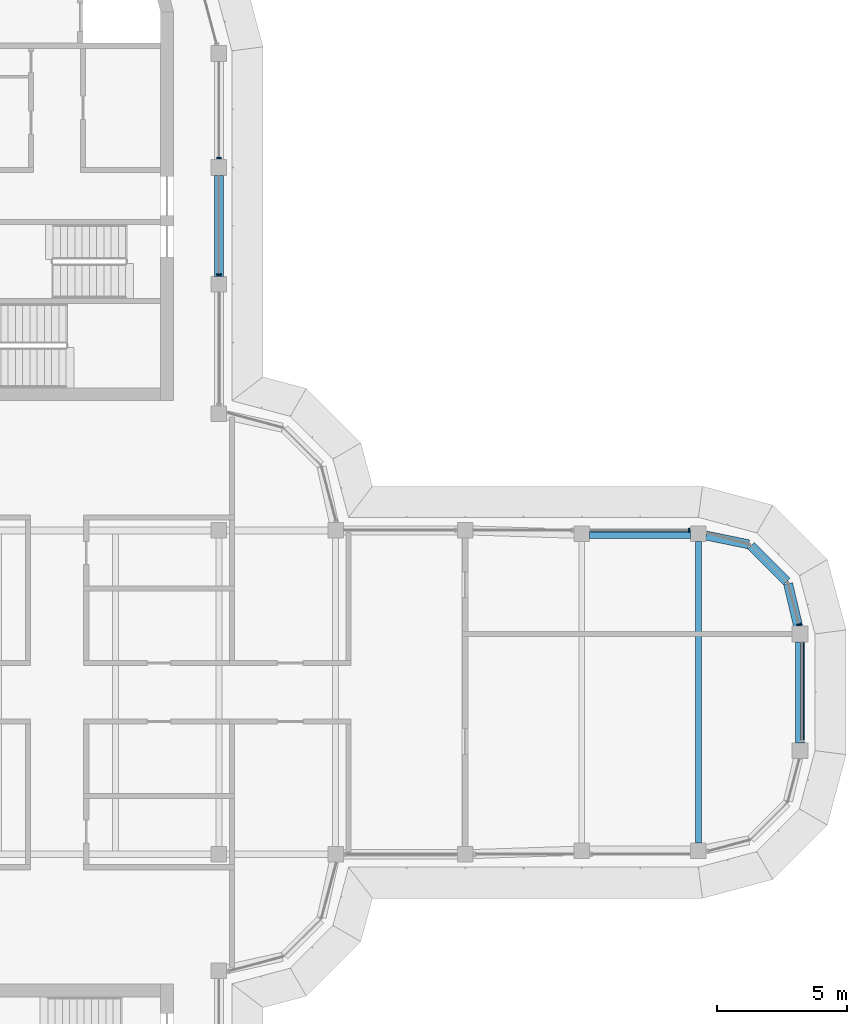
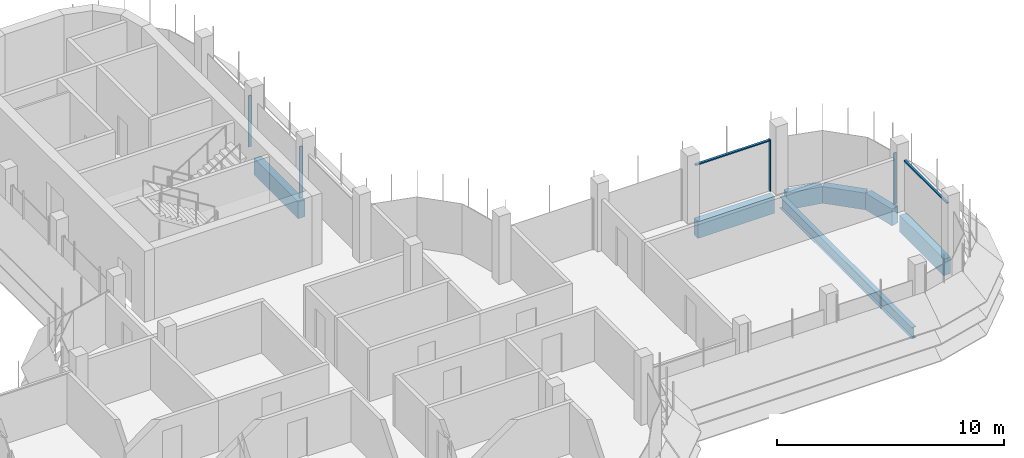
# One storey, part 9 of 19: 7 beams, 6 members, 4 elements without a shape of their own.
"""IFC4 building model written with IfcOpenShell, lengths in metres."""

import ifcopenshell
import ifcopenshell.guid

model = None  # the IFC model being written
_history = None  # IfcOwnerHistory: only IFC2X3 demands one
_inside = {}  # id of a spatial element -> (the spatial element, [elements in it])
_under = {}  # id of a project, library or spatial element -> (it, [spatial elements below it])
_declared = {}  # id of a project -> (the project, [libraries it declares])
_typed = {}  # id of a type object -> (the type object, [elements of that type])
_made_of = {}  # id of a material, layer set ... -> (it, [elements and type objects made of it])


def new_model(schema):
    """Start an empty IFC model of exactly this schema.

    Asked for "IFC4X3", IfcOpenShell would pick the latest addendum, in which some entities
    have other attributes; the version numbers below select the first issue.
    IFC2X3 requires an IfcOwnerHistory on every rooted entity: one is made here for all.
    """
    global model, _history
    if schema == "IFC4X3":
        model = ifcopenshell.file(schema_version=(4, 3, 0, 0))
    else:
        model = ifcopenshell.file(schema=schema)
    _inside.clear()
    _under.clear()
    _declared.clear()
    _typed.clear()
    _made_of.clear()
    _history = None
    if model.schema == "IFC2X3":
        org = make("IfcOrganization", Name="unknown")
        user = make(
            "IfcPersonAndOrganization",
            ThePerson=make("IfcPerson", FamilyName="unknown"),
            TheOrganization=org,
        )
        app = make(
            "IfcApplication",
            ApplicationDeveloper=org,
            Version="unknown",
            ApplicationFullName="unknown",
            ApplicationIdentifier="unknown",
        )
        _history = make(
            "IfcOwnerHistory",
            OwningUser=user,
            OwningApplication=app,
            ChangeAction="ADDED",
            CreationDate=0,
        )
    return model


def make(cls, **values):
    """One entity of the class cls with the attributes given. An attribute that is None is left unset."""
    return model.create_entity(
        cls, **{name: value for name, value in values.items() if value is not None}
    )


def rooted(cls, **values):
    """An entity with a GlobalId (a new one), such as an element, a storey or a relation."""
    return make(cls, GlobalId=ifcopenshell.guid.new(), OwnerHistory=_history, **values)


def si_unit(unit_type, name, prefix=None):
    """IfcSIUnit, for example si_unit("LENGTHUNIT", "METRE", prefix="MILLI")."""
    return make("IfcSIUnit", UnitType=unit_type, Prefix=prefix, Name=name)


def assignment(units):
    """IfcUnitAssignment: the units of a project."""
    return None if units is None else make("IfcUnitAssignment", Units=units)


def point(xyz):
    """IfcCartesianPoint."""
    return None if xyz is None else make("IfcCartesianPoint", Coordinates=xyz)


def direction(xyz):
    """IfcDirection."""
    return None if xyz is None else make("IfcDirection", DirectionRatios=xyz)


def frame(location, z_axis=None, x_axis=None):
    """IfcAxis2Placement3D, a coordinate frame: its origin and axes. An axis left out is left unset."""
    return make(
        "IfcAxis2Placement3D",
        Location=point(location),
        Axis=direction(z_axis),
        RefDirection=direction(x_axis),
    )


def frame_2d(location, x_axis=None):
    """IfcAxis2Placement2D, a coordinate frame in the plane: its origin and x axis."""
    return make(
        "IfcAxis2Placement2D", Location=point(location), RefDirection=direction(x_axis)
    )


def origin():
    """The frame at (0, 0, 0) with its axes left unset."""
    return frame((0.0, 0.0, 0.0))


def origin_2d():
    """The frame at (0, 0) in the plane with its x axis left unset."""
    return frame_2d((0.0, 0.0))


def place(relative_to, where):
    """IfcLocalPlacement: puts the frame where relative to a parent placement (None: the world)."""
    return make(
        "IfcLocalPlacement", PlacementRelTo=relative_to, RelativePlacement=where
    )


def context(
    kind, dimensions, precision=None, world=None, true_north=None, identifier=None
):
    """IfcGeometricRepresentationContext, for example the 3D "Model" context."""
    return make(
        "IfcGeometricRepresentationContext",
        ContextIdentifier=identifier,
        ContextType=kind,
        CoordinateSpaceDimension=dimensions,
        Precision=precision,
        WorldCoordinateSystem=world,
        TrueNorth=true_north,
    )


def subcontext(parent, identifier, kind, view, scale=None):
    """IfcGeometricRepresentationSubContext, for example "Body" below "Model"."""
    return make(
        "IfcGeometricRepresentationSubContext",
        ContextIdentifier=identifier,
        ContextType=kind,
        ParentContext=parent,
        TargetScale=scale,
        TargetView=view,
    )


def project(units=None, contexts=None):
    """IfcProject with its units and contexts."""
    return rooted(
        "IfcProject",
        Name="project",
        RepresentationContexts=contexts,
        UnitsInContext=assignment(units),
    )


def spatial(cls, under=None, at=None, **own):
    """A site, building, storey or space (cls), placed at a placement, below another one or the project."""
    s = rooted(cls, ObjectPlacement=at, **own)
    if under is not None:
        _under.setdefault(under.id(), (under, []))[1].append(s)
    return s


def polyline(points):
    """IfcPolyline through the points."""
    return make("IfcPolyline", Points=[point(p) for p in points])


def profile(cls, at=None, kind="AREA", **sizes):
    """A parametric profile (cls). Its sizes go by their IFC names, for example OverallWidth=200.0."""
    return make(cls, ProfileType=kind, Position=at, **sizes)


def rectangle(**sizes):
    """IfcRectangleProfileDef."""
    return profile("IfcRectangleProfileDef", **sizes)


def i_section(**sizes):
    """IfcIShapeProfileDef."""
    return profile("IfcIShapeProfileDef", **sizes)


def outline(outer, holes=None, kind="AREA"):
    """IfcArbitraryClosedProfileDef: a profile drawn as a closed curve; with holes, ...WithVoids."""
    if holes is None:
        return make("IfcArbitraryClosedProfileDef", ProfileType=kind, OuterCurve=outer)
    return make(
        "IfcArbitraryProfileDefWithVoids",
        ProfileType=kind,
        OuterCurve=outer,
        InnerCurves=holes,
    )


def extrude(swept, where, along, depth):
    """IfcExtrudedAreaSolid: the profile swept, set in the frame where, extruded along a direction by depth."""
    return make(
        "IfcExtrudedAreaSolid",
        SweptArea=swept,
        Position=where,
        ExtrudedDirection=direction(along),
        Depth=depth,
    )


def shape(context_of_items, identifier, shape_type, items):
    """IfcShapeRepresentation: the items that make up one representation, for example the "Body"."""
    return make(
        "IfcShapeRepresentation",
        ContextOfItems=context_of_items,
        RepresentationIdentifier=identifier,
        RepresentationType=shape_type,
        Items=items,
    )


def source(mapping_origin, context_of_items, identifier, shape_type, items):
    """IfcRepresentationMap: a shape defined once, which mapped items show again and again."""
    return make(
        "IfcRepresentationMap",
        MappingOrigin=mapping_origin,
        MappedRepresentation=shape(context_of_items, identifier, shape_type, items),
    )


def transform(
    local_origin,
    x_axis=None,
    y_axis=None,
    z_axis=None,
    scale=None,
    scale2=None,
    scale3=None,
    uniform=True,
):
    """IfcCartesianTransformationOperator3D, or its non-uniform kind. x_axis, y_axis, z_axis: its Axis1, 2, 3."""
    if uniform:
        return make(
            "IfcCartesianTransformationOperator3D",
            Axis1=direction(x_axis),
            Axis2=direction(y_axis),
            LocalOrigin=point(local_origin),
            Scale=scale,
            Axis3=direction(z_axis),
        )
    return make(
        "IfcCartesianTransformationOperator3DnonUniform",
        Axis1=direction(x_axis),
        Axis2=direction(y_axis),
        LocalOrigin=point(local_origin),
        Scale=scale,
        Axis3=direction(z_axis),
        Scale2=scale2,
        Scale3=scale3,
    )


def mapped(mapping_source, mapping_target):
    """IfcMappedItem: shows the shape of a source again, moved by a transform."""
    return make(
        "IfcMappedItem", MappingSource=mapping_source, MappingTarget=mapping_target
    )


def material(Name=None, Category=None):
    """IfcMaterial."""
    return make("IfcMaterial", Name=Name, Category=Category)


def material_profile(
    of_material, cross_section, Name=None, Category=None, Priority=None
):
    """IfcMaterialProfile: a cross section and its material."""
    return make(
        "IfcMaterialProfile",
        Name=Name,
        Material=of_material,
        Profile=cross_section,
        Priority=Priority,
        Category=Category,
    )


def profile_set(profiles, Name=None, composite=None):
    """IfcMaterialProfileSet."""
    return make(
        "IfcMaterialProfileSet",
        Name=Name,
        MaterialProfiles=profiles,
        CompositeProfile=composite,
    )


def made_of(thing, what):
    """Note that an element or type object is made of a material, layer set ...; save() writes the relation."""
    if what is not None:
        _made_of.setdefault(what.id(), (what, []))[1].append(thing)
    return thing


def type_object(cls, material=None, **own):
    """A type object (cls), such as IfcWallType, which elements share."""
    return made_of(rooted(cls, **own), material)


def element(
    cls,
    number,
    at=None,
    inside=None,
    cuts=None,
    type_object=None,
    material=None,
    context=None,
    identifier="Body",
    shape_type=None,
    held_by="IfcProductDefinitionShape",
    body=None,
    shapes=None,
    **own,
):
    """One element of the class cls, such as IfcWall. Its Tag is "e" and its number.

    at: its placement. inside: the storey or other place that contains it. cuts: it is an
    opening in that element (IfcRelVoidsElement). A single representation is given by context,
    identifier, shape_type and body (its items); several are given by shapes. held_by: the class
    of the entity that holds the representations. save() writes the other relations.
    """
    e = rooted(cls, Tag="e%d" % number, ObjectPlacement=at, **own)
    if body is not None:
        shapes = [shape(context, identifier, shape_type, body)]
    if shapes is not None:
        e.Representation = make(held_by, Representations=shapes)
    if inside is not None:
        _inside.setdefault(inside.id(), (inside, []))[1].append(e)
    if cuts is not None:
        rooted(
            "IfcRelVoidsElement", RelatingBuildingElement=cuts, RelatedOpeningElement=e
        )
    if type_object is not None:
        _typed.setdefault(type_object.id(), (type_object, []))[1].append(e)
    return made_of(e, material)


def aggregate(whole, parts):
    """IfcRelAggregates: a whole, such as a stair, and the parts it consists of."""
    return rooted("IfcRelAggregates", RelatingObject=whole, RelatedObjects=parts)


def save(model, path):
    """Write the relations noted so far, then the file.

    IfcRelAggregates (storeys below a building ...), IfcRelContainedInSpatialStructure (elements
    in a storey), IfcRelDefinesByType, IfcRelAssociatesMaterial and IfcRelDeclares: one each for
    every whole, place, type object, material and project.
    """
    for whole, parts in _under.values():
        aggregate(whole, parts)
    for where, things in _inside.values():
        rooted(
            "IfcRelContainedInSpatialStructure",
            RelatedElements=things,
            RelatingStructure=where,
        )
    for kind, things in _typed.values():
        rooted("IfcRelDefinesByType", RelatedObjects=things, RelatingType=kind)
    for what, things in _made_of.values():
        rooted("IfcRelAssociatesMaterial", RelatedObjects=things, RelatingMaterial=what)
    for by, libraries in _declared.values():
        rooted("IfcRelDeclares", RelatingContext=by, RelatedDefinitions=libraries)
    model.write(path)


model = new_model("IFC4")

# Units and contexts
model_context = context("Model", 3, precision=1e-05, world=origin(), true_north=direction((0.0, 1.0)))
body_context = subcontext(model_context, "Body", "Model", "MODEL_VIEW")
ifc_project = project(units=[si_unit("LENGTHUNIT", "METRE"), si_unit("AREAUNIT", "SQUARE_METRE"), si_unit("VOLUMEUNIT", "CUBIC_METRE"), si_unit("PLANEANGLEUNIT", "RADIAN"), si_unit("MASSUNIT", "GRAM", prefix="KILO")], contexts=[model_context])

# Site, building, storey
site_placement = place(None, origin())
site = spatial("IfcSite", under=ifc_project, at=site_placement, CompositionType="ELEMENT")
building_placement = place(site_placement, origin())
building = spatial("IfcBuilding", under=site, at=building_placement, Name="Zarbagh Exchange Tower", CompositionType="ELEMENT")
storey_placement = place(building_placement, frame((0.0, 0.0, 265.0)))
storey = spatial("IfcBuildingStorey", under=building, at=storey_placement, Name="L65", CompositionType="ELEMENT", Elevation=265.0)

# Beams
ifc_material_1 = material(Name="Steel ASTM A992 Gr 50", Category="steel")
ifc_material_profile_1 = material_profile(ifc_material_1, i_section(OverallWidth=0.228271484375, OverallDepth=0.607177734375, WebThickness=0.01123046875, FlangeThickness=0.017333984375, at=origin_2d()), Name="W24X76")
ifc_profile_set_1 = profile_set([ifc_material_profile_1], Name="Steel ASTM A992 Gr 50")
beam_type_1 = type_object("IfcBeamType", Name="Floor beam W24X76", PredefinedType="BEAM", material=ifc_profile_set_1)
beam_1_placement = place(storey_placement, frame((24.75, -5.81005859375, -0.45361328125), z_axis=(0.0, 1.0, 0.0), x_axis=(-1.0, 0.0, 0.0)))
element("IfcBeam", 1, at=beam_1_placement, inside=storey, type_object=beam_type_1, Name="Steel floor beam", PredefinedType="BEAM", context=body_context, shape_type="SweptSolid", body=[
    extrude(i_section(OverallWidth=0.228271484375, OverallDepth=0.607177734375, WebThickness=0.01123046875, FlangeThickness=0.017333984375, at=origin_2d()), origin(), (0.0, 0.0, 1.0), 11.6201171875),
])
ifc_material_2 = material(Name="Concrete C40/50", Category="concrete")
ifc_material_profile_2 = material_profile(ifc_material_2, rectangle(XDim=0.35009765625, YDim=0.89990234375, at=origin_2d()), Name="RC spandrel beam 350 x 900 C40/50")
ifc_profile_set_2 = profile_set([ifc_material_profile_2], Name="Concrete C40/50")
beam_type_2 = type_object("IfcBeamType", Name="RC spandrel beam 350 x 900 C40/50", PredefinedType="SPANDREL", material=ifc_profile_set_2)
for number, where, z_axis, x_axis, name in (
    (2, (6.25, 19.949951171875, -0.60009765625), (0.0, -1.0, 0.0), (1.0, 0.0, 0.0), "RC spandrel beam"),
    (3, (20.550048828125, 6.110107421875, -0.60009765625), (1.0, 0.0, 0.0), (0.0, 1.0, 0.0), "RC spandrel beam"),
):
    element("IfcBeam", number, at=place(storey_placement, frame(where, z_axis=z_axis, x_axis=x_axis)), inside=storey, type_object=beam_type_2, Name=name, PredefinedType="SPANDREL", context=body_context, shape_type="SweptSolid", body=[
        extrude(rectangle(XDim=0.35009765625, YDim=0.89990234375, at=origin_2d()), origin(), (0.0, 0.0, 1.0), 3.89990234375),
    ])
beam_2_placement = place(storey_placement, frame((25.043701171875, 6.04931640625, -0.60009765625), z_axis=(0.979349753205, -0.202173343684, 0.0), x_axis=(0.202173343684, 0.979349753205, 0.0)))
element("IfcBeam", 4, at=beam_2_placement, inside=storey, type_object=beam_type_2, Name="RC spandrel beam", PredefinedType="SPANDREL", context=body_context, shape_type="SweptSolid", body=[
    extrude(rectangle(XDim=0.35009765625, YDim=0.89990234375, at=origin_2d()), origin(), (0.0, 0.0, 1.0), 1.680908203125),
])
beam_3_placement = place(storey_placement, frame((26.7783203125, 5.661865234375, -0.60009765625), z_axis=(0.707106781187, -0.707106781187, 0.0), x_axis=(0.707106781187, 0.707106781187, 0.0)))
element("IfcBeam", 5, at=beam_3_placement, inside=storey, type_object=beam_type_2, Name="RC spandrel beam", PredefinedType="SPANDREL", context=body_context, shape_type="SweptSolid", body=[
    extrude(rectangle(XDim=0.35009765625, YDim=0.89990234375, at=origin_2d()), origin(), (0.0, 0.0, 1.0), 1.95947265625),
])
beam_4_placement = place(storey_placement, frame((28.210205078125, 4.19287109375, -0.60009765625), z_axis=(0.230258391117, -0.973129525459, 0.0), x_axis=(0.973129525459, 0.230258391117, 0.0)))
element("IfcBeam", 6, at=beam_4_placement, inside=storey, type_object=beam_type_2, Name="RC spandrel beam", PredefinedType="SPANDREL", context=body_context, shape_type="SweptSolid", body=[
    extrude(rectangle(XDim=0.35009765625, YDim=0.89990234375, at=origin_2d()), origin(), (0.0, 0.0, 1.0), 1.696533203125),
])
beam_5_placement = place(storey_placement, frame((28.669921875, 1.949951171875, -0.60009765625), z_axis=(0.0, -1.0, 0.0), x_axis=(1.0, 0.0, 0.0)))
element("IfcBeam", 7, at=beam_5_placement, inside=storey, type_object=beam_type_2, Name="RC spandrel beam", PredefinedType="SPANDREL", context=body_context, shape_type="SweptSolid", body=[
    extrude(rectangle(XDim=0.35009765625, YDim=0.89990234375, at=origin_2d()), origin(), (0.0, 0.0, 1.0), 3.89990234375),
])

# Curtain wall, member
ifc_material_3 = material(Name="Anodised aluminium frame and glazing", Category="aluminium")
curtain_wall_type = type_object("IfcCurtainWallType", Name="CWB Ribbon glazing, upper zones", PredefinedType="NOTDEFINED", material=ifc_material_3)
curtain_wall_1_placement = place(storey_placement, origin())
curtain_wall_1 = element("IfcCurtainWall", 8, at=curtain_wall_1_placement, inside=storey, type_object=curtain_wall_type, Name="CWB79 curtain wall", PredefinedType="NOTDEFINED")
ifc_material_4 = material(Name="Anodised aluminium frame", Category="aluminium")
member_type_1 = type_object("IfcMemberType", Name="MUB Mullion, anodised aluminium frame", PredefinedType="MULLION", material=ifc_material_4)
shared_shape_1 = source(origin(), body_context, "Body", "SweptSolid", [
    extrude(outline(polyline([(0.0, -0.080078125), (0.06005859375, -0.080078125), (0.06005859375, 0.080078125), (0.0, 0.080078125), (0.0, -0.080078125)])), origin(), (0.0, 0.0, 1.0), 2.75),
])
placement = place(storey_placement, origin())
member_1 = element("IfcMember", 9, at=placement, type_object=member_type_1, Name="CWB79 mullion 1.1", PredefinedType="MULLION", context=body_context, shape_type="MappedRepresentation", body=[
    mapped(shared_shape_1, transform((28.641357421875, 2.58984375, 0.0), x_axis=(-0.258824779902, 0.965924289636, 0.0), y_axis=(-0.965924289636, -0.258824779902, 0.0), z_axis=(0.0, 0.0, 1.0))),
])
aggregate(curtain_wall_1, [member_1])

curtain_wall_2_placement = place(storey_placement, origin())
curtain_wall_2 = element("IfcCurtainWall", 10, at=curtain_wall_2_placement, inside=storey, type_object=curtain_wall_type, Name="CWB82 curtain wall", PredefinedType="NOTDEFINED")
member_2 = element("IfcMember", 11, at=placement, type_object=member_type_1, Name="CWB82 mullion 1.1", PredefinedType="MULLION", context=body_context, shape_type="MappedRepresentation", body=[
    mapped(shared_shape_1, transform((24.409912109375, 6.25, 0.0), x_axis=(-1.0, 0.0, 0.0), y_axis=(0.0, -1.0, 0.0), z_axis=(0.0, 0.0, 1.0))),
])

# Curtain wall, members
curtain_wall_3_placement = place(storey_placement, origin())
curtain_wall_3 = element("IfcCurtainWall", 12, at=curtain_wall_3_placement, inside=storey, type_object=curtain_wall_type, Name="CWB67 curtain wall", PredefinedType="NOTDEFINED")
member_3 = element("IfcMember", 13, at=placement, type_object=member_type_1, Name="CWB67 mullion 2.1", PredefinedType="MULLION", context=body_context, shape_type="MappedRepresentation", body=[
    mapped(shared_shape_1, transform((6.25, 16.090087890625, 0.0), x_axis=(0.0, 1.0, 0.0), y_axis=(-1.0, 0.0, 0.0), z_axis=(0.0, 0.0, 1.0))),
])
member_4 = element("IfcMember", 14, at=placement, type_object=member_type_1, Name="CWB67 mullion 3.1", PredefinedType="MULLION", context=body_context, shape_type="MappedRepresentation", body=[
    mapped(shared_shape_1, transform((6.25, 20.590087890625, 0.0), x_axis=(0.0, 1.0, 0.0), y_axis=(-1.0, 0.0, 0.0), z_axis=(0.0, 0.0, 1.0))),
])
aggregate(curtain_wall_3, [member_3, member_4])

# Curtain wall, member
curtain_wall_4_placement = place(storey_placement, origin())
curtain_wall_4 = element("IfcCurtainWall", 15, at=curtain_wall_4_placement, inside=storey, type_object=curtain_wall_type, Name="CWB83 curtain wall", PredefinedType="NOTDEFINED")
member_type_2 = type_object("IfcMemberType", Name="TRB Transom, anodised aluminium frame", PredefinedType="USERDEFINED", material=ifc_material_4)
shared_shape_2 = source(origin(), body_context, "Body", "SweptSolid", [
    extrude(outline(polyline([(-0.06005859375, -0.06005859375), (0.0, -0.06005859375), (0.0, 0.06005859375), (-0.06005859375, 0.06005859375), (-0.06005859375, -0.06005859375)])), origin(), (0.0, 0.0, 1.0), 3.760009765625),
])
member_5 = element("IfcMember", 16, at=placement, type_object=member_type_2, Name="CWB83 transom 1.1", ObjectType="TRANSOM", PredefinedType="USERDEFINED", context=body_context, shape_type="MappedRepresentation", body=[
    mapped(shared_shape_2, transform((28.75, -1.849853515625, 2.75), x_axis=(0.0, 0.0, 1.0), y_axis=(1.0, 0.0, 0.0), z_axis=(0.0, 1.0, 0.0))),
])
aggregate(curtain_wall_4, [member_5])

# Member
member_6 = element("IfcMember", 17, at=placement, type_object=member_type_2, Name="CWB82 transom 1.1", ObjectType="TRANSOM", PredefinedType="USERDEFINED", context=body_context, shape_type="MappedRepresentation", body=[
    mapped(shared_shape_2, transform((24.349853515625, 6.25, 2.75), x_axis=(0.0, 0.0, 1.0), y_axis=(0.0, 1.0, 0.0), z_axis=(-1.0, 0.0, 0.0))),
])

aggregate(curtain_wall_2, [member_2, member_6])

save(model, "model.ifc")
